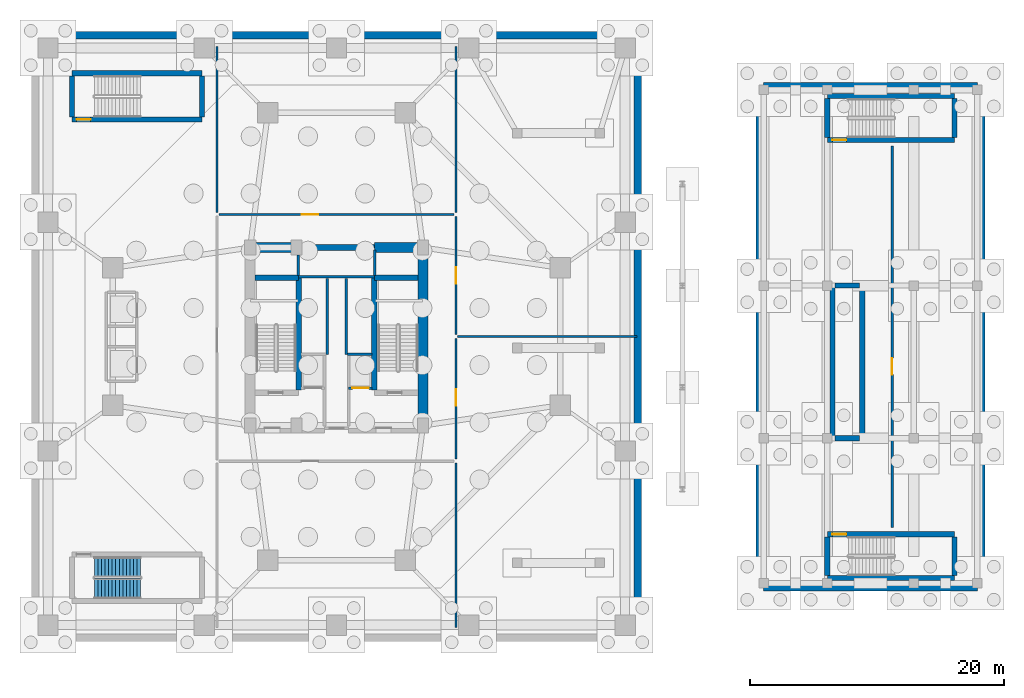
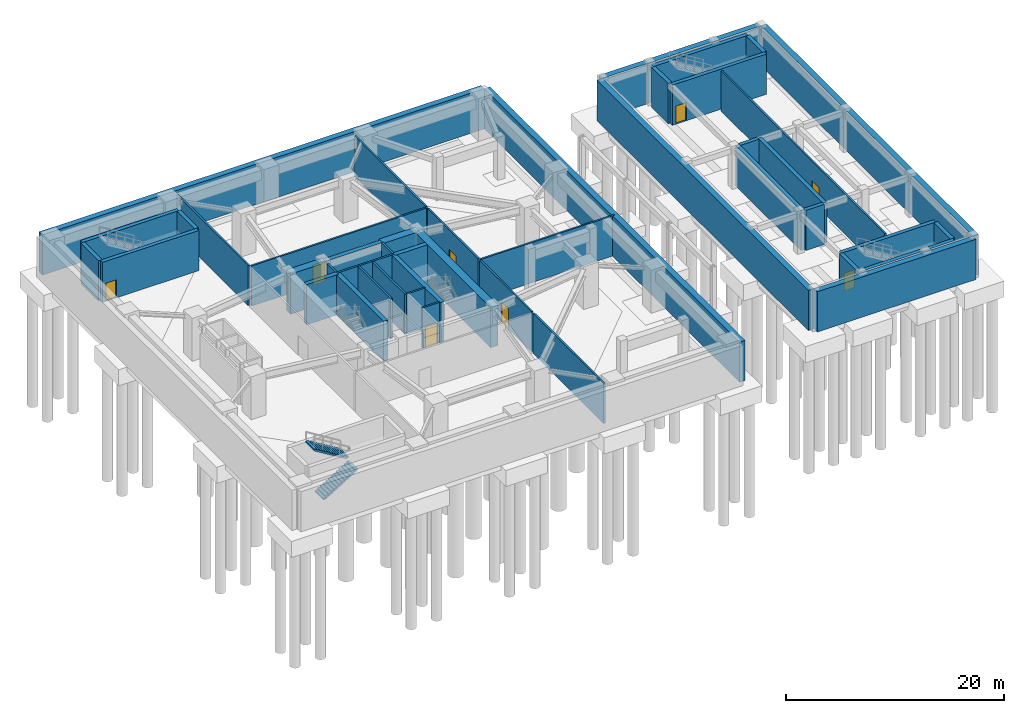
# One storey, part 7 of 11: 45 walls, 8 doors, 2 stair flights, 8 openings, 1 element without a shape of its own.
"""IFC4 building model written with IfcOpenShell, lengths in metres."""

from ifc_helpers import new_model, si_unit, direction, frame, frame_2d, origin, place, context, subcontext, project, spatial, polyline, rectangle, outline, extrude, source, transform, mapped, material, layer, layer_set, type_object, element, fill, aggregate, save


model = new_model("IFC4")

# Units and contexts
model_context = context("Model", 3, precision=1e-05, world=origin(), true_north=direction((0.0, 1.0)))
body_context = subcontext(model_context, "Body", "Model", "MODEL_VIEW")
ifc_project = project(units=[si_unit("LENGTHUNIT", "METRE"), si_unit("AREAUNIT", "SQUARE_METRE"), si_unit("VOLUMEUNIT", "CUBIC_METRE"), si_unit("PLANEANGLEUNIT", "RADIAN"), si_unit("MASSUNIT", "GRAM", prefix="KILO")], contexts=[model_context])

# Site, building, storey
site_placement = place(None, origin())
site = spatial("IfcSite", under=ifc_project, at=site_placement, CompositionType="ELEMENT")
building_placement = place(site_placement, origin())
building = spatial("IfcBuilding", under=site, at=building_placement, Name="Veraguas Prism Commons", CompositionType="ELEMENT")
storey_placement = place(building_placement, frame((0.0, 0.0, -10.0)))
storey = spatial("IfcBuildingStorey", under=building, at=storey_placement, Name="B2", CompositionType="ELEMENT", Elevation=-10.0)

# Walls
ifc_material_1 = material(Name="Concrete C50/60", Category="concrete")
ifc_layer_1 = layer(ifc_material_1, 0.60009765625, Name="Basement Perimeter Retaining Wall RC 600", Category="concrete")
ifc_layer_set_1 = layer_set([ifc_layer_1], Name="Concrete C50/60")
wall_type_1 = type_object("IfcWallType", Name="Basement Perimeter Retaining Wall RC 600", PredefinedType="SOLIDWALL", material=ifc_layer_set_1)
for number, where, z_axis, x_axis, name in (
    (1, (47.699951171875, 0.60009765625, 0.0), (0.0, 0.0, 1.0), (0.0, 1.0, 0.0), "Basement Retaining Wall B2-E"),
    (2, (47.39990234375, 47.699951171875, 0.0), (0.0, 0.0, 1.0), (-1.0, 0.0, 0.0), "Basement Retaining Wall B2-N"),
):
    element("IfcWall", number, at=place(storey_placement, frame(where, z_axis=z_axis, x_axis=x_axis)), inside=storey, type_object=wall_type_1, Name=name, PredefinedType="SOLIDWALL", context=body_context, shape_type="SweptSolid", body=[
        extrude(rectangle(XDim=46.7998046875, YDim=0.60009765625, at=frame_2d((23.39990234375, 0.0))), origin(), (0.0, 0.0, 1.0), 4.5),
    ])
wall_1_placement = place(storey_placement, frame((57.60009765625, 4.300048828125, 0.0), z_axis=(0.0, 0.0, 1.0), x_axis=(1.0, 0.0, 0.0)))
element("IfcWall", 3, at=wall_1_placement, inside=storey, type_object=wall_type_1, Name="Health Centre Substructure Retaining Wall B2-S", PredefinedType="SOLIDWALL", context=body_context, shape_type="SweptSolid", body=[
    extrude(rectangle(XDim=16.7998046875, YDim=0.60009765625, at=frame_2d((8.39990234375, 0.0))), origin(), (0.0, 0.0, 1.0), 4.5),
])
wall_2_placement = place(storey_placement, frame((74.699951171875, 4.60009765625, 0.0), z_axis=(0.0, 0.0, 1.0), x_axis=(0.0, 1.0, 0.0)))
element("IfcWall", 4, at=wall_2_placement, inside=storey, type_object=wall_type_1, Name="Health Centre Substructure Retaining Wall B2-E", PredefinedType="SOLIDWALL", context=body_context, shape_type="SweptSolid", body=[
    extrude(rectangle(XDim=38.7998046875, YDim=0.60009765625, at=frame_2d((19.39990234375, 0.0))), origin(), (0.0, 0.0, 1.0), 4.5),
])
wall_3_placement = place(storey_placement, frame((74.39990234375, 43.699951171875, 0.0), z_axis=(0.0, 0.0, 1.0), x_axis=(-1.0, 0.0, 0.0)))
element("IfcWall", 5, at=wall_3_placement, inside=storey, type_object=wall_type_1, Name="Health Centre Substructure Retaining Wall B2-N", PredefinedType="SOLIDWALL", context=body_context, shape_type="SweptSolid", body=[
    extrude(rectangle(XDim=16.7998046875, YDim=0.60009765625, at=frame_2d((8.39990234375, 0.0))), origin(), (0.0, 0.0, 1.0), 4.5),
])
wall_4_placement = place(storey_placement, frame((57.300048828125, 43.39990234375, 0.0), z_axis=(0.0, 0.0, 1.0), x_axis=(0.0, -1.0, 0.0)))
element("IfcWall", 6, at=wall_4_placement, inside=storey, type_object=wall_type_1, Name="Health Centre Substructure Retaining Wall B2-W", PredefinedType="SOLIDWALL", context=body_context, shape_type="SweptSolid", body=[
    extrude(rectangle(XDim=38.7998046875, YDim=0.60009765625, at=frame_2d((19.39990234375, 0.0))), origin(), (0.0, 0.0, 1.0), 4.5),
])

# Wall, opening, door
ifc_layer_2 = layer(ifc_material_1, 0.39990234375, Name="Clinic and Mid Core Shear Wall RC 400", Category="concrete")
ifc_layer_set_2 = layer_set([ifc_layer_2], Name="Concrete C50/60")
wall_type_2 = type_object("IfcWallType", Name="Clinic and Mid Core Shear Wall RC 400", PredefinedType="SHEAR", material=ifc_layer_set_2)
wall_5_placement = place(storey_placement, frame((3.199951171875, 41.06005859375, 0.0), z_axis=(0.0, 0.0, 1.0), x_axis=(1.0, 0.0, 0.0)))
wall_5 = element("IfcWall", 7, at=wall_5_placement, inside=storey, type_object=wall_type_2, Name="ST-M2 South Shear Wall B2", PredefinedType="SHEAR", context=body_context, shape_type="SweptSolid", body=[
    extrude(rectangle(XDim=10.199951171875, YDim=0.39990234375, at=frame_2d((5.10009765625, 0.0))), origin(), (0.0, 0.0, 1.0), 4.5),
])
opening_1_placement = place(wall_5_placement, frame((0.35009765625, 0.0, 0.0)))
opening_1 = element("IfcOpeningElement", 8, at=opening_1_placement, cuts=wall_5, Name="Opening DR-05", PredefinedType="OPENING", context=body_context, shape_type="SweptSolid", body=[
    extrude(rectangle(XDim=1.10009765625, YDim=2.030029296875, at=frame_2d((0.550048828125, 1.01513671875))), frame((0.0, 0.2099609375, 0.0), z_axis=(0.0, -1.0, 0.0), x_axis=(1.0, 0.0, 0.0)), (0.0, 0.0, 1.0), 0.419921875),
])
ifc_material_2 = material(Name="Steel fire-rated door assembly", Category="steel")
door_type_1 = type_object("IfcDoorType", Name="Protected Stair and Refuge Fire Door 1100x2030", OperationType="NOTDEFINED", PredefinedType="DOOR", material=ifc_material_2)
shared_shape_1 = source(origin(), body_context, "Body", "SweptSolid", [
    extrude(rectangle(XDim=1.10009765625, YDim=2.030029296875, at=frame_2d((0.550048828125, 1.01513671875))), frame((0.0, 0.02490234375, 0.0), z_axis=(0.0, -1.0, 0.0), x_axis=(1.0, 0.0, 0.0)), (0.0, 0.0, 1.0), 0.050048828125),
])
door_1_placement = place(opening_1_placement, origin())
door_1 = element("IfcDoor", 9, at=door_1_placement, inside=storey, type_object=door_type_1, Name="Metro Stair ST-M2 Door B2", OperationType="SINGLE_SWING_LEFT", OverallHeight=2.030029296875, OverallWidth=1.10009765625, PredefinedType="DOOR", context=body_context, shape_type="MappedRepresentation", body=[
    mapped(shared_shape_1, transform((0.0, 0.0, 0.0), scale=1.0)),
])
fill(opening_1, door_1)

# Walls
wall_6_placement = place(storey_placement, frame((3.199951171875, 44.7099609375, 0.0), z_axis=(0.0, 0.0, 1.0), x_axis=(1.0, 0.0, 0.0)))
element("IfcWall", 10, at=wall_6_placement, inside=storey, type_object=wall_type_2, Name="ST-M2 North Shear Wall B2", PredefinedType="SHEAR", context=body_context, shape_type="SweptSolid", body=[
    extrude(rectangle(XDim=10.199951171875, YDim=0.39990234375, at=frame_2d((5.10009765625, 0.0))), origin(), (0.0, 0.0, 1.0), 4.5),
])
for number, where, z_axis, x_axis, name in (
    (11, (3.199951171875, 41.260009765625, 0.0), (0.0, 0.0, 1.0), (0.0, 1.0, 0.0), "ST-M2 West Shear Wall B2"),
    (12, (13.39990234375, 41.260009765625, 0.0), (0.0, 0.0, 1.0), (0.0, 1.0, 0.0), "ST-M2 East Shear Wall B2"),
):
    element("IfcWall", number, at=place(storey_placement, frame(where, z_axis=z_axis, x_axis=x_axis)), inside=storey, type_object=wall_type_2, Name=name, PredefinedType="SHEAR", context=body_context, shape_type="SweptSolid", body=[
        extrude(rectangle(XDim=3.25, YDim=0.39990234375, at=frame_2d((1.625, 0.0))), origin(), (0.0, 0.0, 1.0), 4.5),
    ])
for number, where, z_axis, x_axis, name in (
    (13, (63.0, 16.0, 0.0), (0.0, 0.0, 1.0), (0.0, 1.0, 0.0), "Health Centre Core West Shear Wall B2"),
    (14, (65.35009765625, 16.0, 0.0), (0.0, 0.0, 1.0), (0.0, 1.0, 0.0), "Health Centre Lift Core Front Shear Wall B2"),
):
    element("IfcWall", number, at=place(storey_placement, frame(where, z_axis=z_axis, x_axis=x_axis)), inside=storey, type_object=wall_type_2, Name=name, PredefinedType="SHEAR", context=body_context, shape_type="SweptSolid", body=[
        extrude(rectangle(XDim=12.0, YDim=0.39990234375, at=frame_2d((6.0, 0.0))), origin(), (0.0, 0.0, 1.0), 4.5),
    ])
for number, where, z_axis, x_axis, name in (
    (15, (63.199951171875, 16.0, 0.0), (0.0, 0.0, 1.0), (1.0, 0.0, 0.0), "Health Centre Core South Wall B2"),
    (16, (63.199951171875, 28.0, 0.0), (0.0, 0.0, 1.0), (1.0, 0.0, 0.0), "Health Centre Core North Wall B2"),
):
    element("IfcWall", number, at=place(storey_placement, frame(where, z_axis=z_axis, x_axis=x_axis)), inside=storey, type_object=wall_type_2, Name=name, PredefinedType="SHEAR", context=body_context, shape_type="SweptSolid", body=[
        extrude(rectangle(XDim=1.949951171875, YDim=0.39990234375, at=frame_2d((0.97509765625, 0.0))), origin(), (0.0, 0.0, 1.0), 4.5),
    ])
wall_7_placement = place(storey_placement, frame((62.60009765625, 5.0, 0.0), z_axis=(0.0, 0.0, 1.0), x_axis=(1.0, 0.0, 0.0)))
element("IfcWall", 17, at=wall_7_placement, inside=storey, type_object=wall_type_2, Name="ST-H1 South Shear Wall B2", PredefinedType="SHEAR", context=body_context, shape_type="SweptSolid", body=[
    extrude(rectangle(XDim=10.0, YDim=0.39990234375, at=frame_2d((5.0, 0.0))), origin(), (0.0, 0.0, 1.0), 4.5),
])

# Wall, opening, door
wall_8_placement = place(storey_placement, frame((62.60009765625, 8.449951171875, 0.0), z_axis=(0.0, 0.0, 1.0), x_axis=(1.0, 0.0, 0.0)))
wall_8 = element("IfcWall", 18, at=wall_8_placement, inside=storey, type_object=wall_type_2, Name="ST-H1 North Shear Wall B2", PredefinedType="SHEAR", context=body_context, shape_type="SweptSolid", body=[
    extrude(rectangle(XDim=10.0, YDim=0.39990234375, at=frame_2d((5.0, 0.0))), origin(), (0.0, 0.0, 1.0), 4.5),
])
opening_2_placement = place(wall_8_placement, frame((0.39990234375, 0.0, 0.0)))
opening_2 = element("IfcOpeningElement", 19, at=opening_2_placement, cuts=wall_8, Name="Opening DR-05", PredefinedType="OPENING", context=body_context, shape_type="SweptSolid", body=[
    extrude(rectangle(XDim=1.10009765625, YDim=2.030029296875, at=frame_2d((0.550048828125, 1.01513671875))), frame((0.0, 0.2099609375, 0.0), z_axis=(0.0, -1.0, 0.0), x_axis=(1.0, 0.0, 0.0)), (0.0, 0.0, 1.0), 0.419921875),
])
door_2_placement = place(opening_2_placement, origin())
door_2 = element("IfcDoor", 20, at=door_2_placement, inside=storey, type_object=door_type_1, Name="Health Centre Stair ST-H1 Door B2", OperationType="SINGLE_SWING_RIGHT", OverallHeight=2.030029296875, OverallWidth=1.10009765625, PredefinedType="DOOR", context=body_context, shape_type="MappedRepresentation", body=[
    mapped(shared_shape_1, transform((0.0, 0.0, 0.0), scale=1.0)),
])
fill(opening_2, door_2)

# Walls
for number, where, z_axis, x_axis, name in (
    (21, (62.60009765625, 5.199951171875, 0.0), (0.0, 0.0, 1.0), (0.0, 1.0, 0.0), "ST-H1 West Shear Wall B2"),
    (22, (72.60009765625, 5.199951171875, 0.0), (0.0, 0.0, 1.0), (0.0, 1.0, 0.0), "ST-H1 East Shear Wall B2"),
):
    element("IfcWall", number, at=place(storey_placement, frame(where, z_axis=z_axis, x_axis=x_axis)), inside=storey, type_object=wall_type_2, Name=name, PredefinedType="SHEAR", context=body_context, shape_type="SweptSolid", body=[
        extrude(rectangle(XDim=3.050048828125, YDim=0.39990234375, at=frame_2d((1.52490234375, 0.0))), origin(), (0.0, 0.0, 1.0), 4.5),
    ])

# Wall, opening, door
wall_9_placement = place(storey_placement, frame((62.60009765625, 39.4599609375, 0.0), z_axis=(0.0, 0.0, 1.0), x_axis=(1.0, 0.0, 0.0)))
wall_9 = element("IfcWall", 23, at=wall_9_placement, inside=storey, type_object=wall_type_2, Name="ST-H2 South Shear Wall B2", PredefinedType="SHEAR", context=body_context, shape_type="SweptSolid", body=[
    extrude(rectangle(XDim=10.0, YDim=0.39990234375, at=frame_2d((5.0, 0.0))), origin(), (0.0, 0.0, 1.0), 4.5),
])
opening_3_placement = place(wall_9_placement, frame((0.39990234375, 0.0, 0.0)))
opening_3 = element("IfcOpeningElement", 24, at=opening_3_placement, cuts=wall_9, Name="Opening DR-05", PredefinedType="OPENING", context=body_context, shape_type="SweptSolid", body=[
    extrude(rectangle(XDim=1.10009765625, YDim=2.030029296875, at=frame_2d((0.550048828125, 1.01513671875))), frame((0.0, 0.2099609375, 0.0), z_axis=(0.0, -1.0, 0.0), x_axis=(1.0, 0.0, 0.0)), (0.0, 0.0, 1.0), 0.419921875),
])
door_3_placement = place(opening_3_placement, origin())
door_3 = element("IfcDoor", 25, at=door_3_placement, inside=storey, type_object=door_type_1, Name="Health Centre Stair ST-H2 Door B2", OperationType="SINGLE_SWING_LEFT", OverallHeight=2.030029296875, OverallWidth=1.10009765625, PredefinedType="DOOR", context=body_context, shape_type="MappedRepresentation", body=[
    mapped(shared_shape_1, transform((0.0, 0.0, 0.0), scale=1.0)),
])
fill(opening_3, door_3)

# Walls
wall_10_placement = place(storey_placement, frame((62.60009765625, 42.909912109375, 0.0), z_axis=(0.0, 0.0, 1.0), x_axis=(1.0, 0.0, 0.0)))
element("IfcWall", 26, at=wall_10_placement, inside=storey, type_object=wall_type_2, Name="ST-H2 North Shear Wall B2", PredefinedType="SHEAR", context=body_context, shape_type="SweptSolid", body=[
    extrude(rectangle(XDim=10.0, YDim=0.39990234375, at=frame_2d((5.0, 0.0))), origin(), (0.0, 0.0, 1.0), 4.5),
])
for number, where, z_axis, x_axis, name in (
    (27, (62.60009765625, 39.659912109375, 0.0), (0.0, 0.0, 1.0), (0.0, 1.0, 0.0), "ST-H2 West Shear Wall B2"),
    (28, (72.60009765625, 39.659912109375, 0.0), (0.0, 0.0, 1.0), (0.0, 1.0, 0.0), "ST-H2 East Shear Wall B2"),
):
    element("IfcWall", number, at=place(storey_placement, frame(where, z_axis=z_axis, x_axis=x_axis)), inside=storey, type_object=wall_type_2, Name=name, PredefinedType="SHEAR", context=body_context, shape_type="SweptSolid", body=[
        extrude(rectangle(XDim=3.050048828125, YDim=0.39990234375, at=frame_2d((1.52490234375, 0.0))), origin(), (0.0, 0.0, 1.0), 4.5),
    ])
ifc_material_3 = material(Name="Concrete C60/75", Category="concrete")
ifc_layer_3 = layer(ifc_material_3, 0.449951171875, Name="Core Internal Shear Wall Lower RC 450", Category="concrete")
ifc_layer_set_3 = layer_set([ifc_layer_3], Name="Concrete C60/75")
wall_type_3 = type_object("IfcWallType", Name="Core Internal Shear Wall Lower RC 450", PredefinedType="SHEAR", material=ifc_layer_set_3)
wall_11_placement = place(storey_placement, frame((21.0, 31.0, 0.0), z_axis=(0.0, 0.0, 1.0), x_axis=(1.0, 0.0, 0.0)))
element("IfcWall", 29, at=wall_11_placement, inside=storey, type_object=wall_type_3, Name="High-Rise Lift Bank Front Shear Wall B2", PredefinedType="SHEAR", context=body_context, shape_type="SweptSolid", body=[
    extrude(rectangle(XDim=6.0, YDim=0.449951171875, at=frame_2d((3.0, 0.0))), origin(), (0.0, 0.0, 1.0), 4.5),
])
for number, where, z_axis, x_axis, name in (
    (30, (21.02490234375, 19.800048828125, 0.0), (0.0, 0.0, 1.0), (0.0, 1.0, 0.0), "Stair ST-01 Inner Shear Wall B2"),
    (31, (26.97509765625, 19.800048828125, 0.0), (0.0, 0.0, 1.0), (0.0, 1.0, 0.0), "Stair ST-02 Inner Shear Wall B2"),
):
    element("IfcWall", number, at=place(storey_placement, frame(where, z_axis=z_axis, x_axis=x_axis)), inside=storey, type_object=wall_type_3, Name=name, PredefinedType="SHEAR", context=body_context, shape_type="SweptSolid", body=[
        extrude(rectangle(XDim=8.824951171875, YDim=0.449951171875, at=frame_2d((4.41259765625, 0.0))), origin(), (0.0, 0.0, 1.0), 4.5),
    ])
for number, where, z_axis, x_axis, name in (
    (32, (17.60009765625, 28.625, 0.0), (0.0, 0.0, 1.0), (1.0, 0.0, 0.0), "Stair ST-01 North Shear Wall B2"),
    (33, (26.97509765625, 28.625, 0.0), (0.0, 0.0, 1.0), (1.0, 0.0, 0.0), "Stair ST-02 North Shear Wall B2"),
):
    element("IfcWall", number, at=place(storey_placement, frame(where, z_axis=z_axis, x_axis=x_axis)), inside=storey, type_object=wall_type_3, Name=name, PredefinedType="SHEAR", context=body_context, shape_type="SweptSolid", body=[
        extrude(rectangle(XDim=3.4248046875, YDim=0.449951171875, at=frame_2d((1.71240234375, 0.0))), origin(), (0.0, 0.0, 1.0), 4.5),
    ])
ifc_layer_4 = layer(ifc_material_3, 0.800048828125, Name="Core Outer Shear Wall Lower RC 800", Category="concrete")
ifc_layer_set_4 = layer_set([ifc_layer_4], Name="Concrete C60/75")
wall_type_4 = type_object("IfcWallType", Name="Core Outer Shear Wall Lower RC 800", PredefinedType="SHEAR", material=ifc_layer_set_4)
wall_12_placement = place(storey_placement, frame((30.800048828125, 16.800048828125, 0.0), z_axis=(0.0, 0.0, 1.0), x_axis=(0.0, 1.0, 0.0)))
element("IfcWall", 34, at=wall_12_placement, inside=storey, type_object=wall_type_4, Name="Central Core East Shear Wall B2", PredefinedType="SHEAR", context=body_context, shape_type="SweptSolid", body=[
    extrude(rectangle(XDim=14.199951171875, YDim=0.800048828125, at=frame_2d((7.10009765625, 0.0))), origin(), (0.0, 0.0, 1.0), 4.5),
])
for number, where, z_axis, x_axis, name in (
    (35, (17.199951171875, 31.0, 0.0), (0.0, 0.0, 1.0), (1.0, 0.0, 0.0), "Central Core North-West Shear Wall B2"),
    (36, (27.0, 31.0, 0.0), (0.0, 0.0, 1.0), (1.0, 0.0, 0.0), "Central Core North-East Shear Wall B2"),
):
    element("IfcWall", number, at=place(storey_placement, frame(where, z_axis=z_axis, x_axis=x_axis)), inside=storey, type_object=wall_type_4, Name=name, PredefinedType="SHEAR", context=body_context, shape_type="SweptSolid", body=[
        extrude(rectangle(XDim=3.800048828125, YDim=0.800048828125, at=frame_2d((1.89990234375, 0.0))), origin(), (0.0, 0.0, 1.0), 4.5),
    ])
ifc_material_4 = material(Name="Autoclaved aerated masonry block 10 MPa", Category="masonry")
ifc_layer_5 = layer(ifc_material_4, 0.179931640625, Name="Corridor and Inter-Tenancy Partition 180", Category="masonry")
ifc_layer_set_5 = layer_set([ifc_layer_5], Name="Autoclaved aerated masonry block 10 MPa")
wall_type_5 = type_object("IfcWallType", Name="Corridor and Inter-Tenancy Partition 180", PredefinedType="PARTITIONING", material=ifc_layer_set_5)
wall_13_placement = place(storey_placement, frame((33.39990234375, 1.10009765625, 0.0), z_axis=(0.0, 0.0, 1.0), x_axis=(0.0, 1.0, 0.0)))
element("IfcWall", 37, at=wall_13_placement, inside=storey, type_object=wall_type_5, Name="WL-B2-PT01B", PredefinedType="PARTITIONING", context=body_context, shape_type="SweptSolid", body=[
    extrude(rectangle(XDim=12.949951171875, YDim=0.179931640625, at=frame_2d((6.47509765625, 0.0))), origin(), (0.0, 0.0, 1.0), 4.5),
])

# Wall, opening, door
wall_14_placement = place(storey_placement, frame((33.39990234375, 14.35009765625, 0.0), z_axis=(0.0, 0.0, 1.0), x_axis=(0.0, 1.0, 0.0)))
wall_14 = element("IfcWall", 38, at=wall_14_placement, inside=storey, type_object=wall_type_5, Name="WL-B2-PT02", PredefinedType="PARTITIONING", context=body_context, shape_type="SweptSolid", body=[
    extrude(rectangle(XDim=9.5, YDim=0.179931640625, at=frame_2d((4.75, 0.0))), origin(), (0.0, 0.0, 1.0), 4.5),
])
opening_4_placement = place(wall_14_placement, frame((4.199951171875, 0.0, 0.0)))
opening_4 = element("IfcOpeningElement", 39, at=opening_4_placement, cuts=wall_14, Name="Opening DR-11", PredefinedType="OPENING", context=body_context, shape_type="SweptSolid", body=[
    extrude(rectangle(XDim=1.300048828125, YDim=2.300048828125, at=frame_2d((0.64990234375, 1.14990234375))), frame((0.0, 0.099853515625, 0.0), z_axis=(0.0, -1.0, 0.0), x_axis=(1.0, 0.0, 0.0)), (0.0, 0.0, 1.0), 0.199951171875),
])
door_type_2 = type_object("IfcDoorType", Name="Mechanical Plant Room Door 1300x2300", OperationType="NOTDEFINED", PredefinedType="DOOR", material=ifc_material_2)
shared_shape_2 = source(origin(), body_context, "Body", "SweptSolid", [
    extrude(rectangle(XDim=1.300048828125, YDim=2.300048828125, at=frame_2d((0.64990234375, 1.14990234375))), frame((0.0, 0.02490234375, 0.0), z_axis=(0.0, -1.0, 0.0), x_axis=(1.0, 0.0, 0.0)), (0.0, 0.0, 1.0), 0.050048828125),
])
door_4_placement = place(opening_4_placement, origin())
door_4 = element("IfcDoor", 40, at=door_4_placement, inside=storey, type_object=door_type_2, Name="Tunnel Ventilation Plant Door B2", OperationType="SINGLE_SWING_RIGHT", OverallHeight=2.300048828125, OverallWidth=1.300048828125, PredefinedType="DOOR", context=body_context, shape_type="MappedRepresentation", body=[
    mapped(shared_shape_2, transform((0.0, 0.0, 0.0), scale=1.0)),
])
fill(opening_4, door_4)

wall_15_placement = place(storey_placement, frame((33.39990234375, 24.14990234375, 0.0), z_axis=(0.0, 0.0, 1.0), x_axis=(0.0, 1.0, 0.0)))
wall_15 = element("IfcWall", 41, at=wall_15_placement, inside=storey, type_object=wall_type_5, Name="WL-B2-PT03", PredefinedType="PARTITIONING", context=body_context, shape_type="SweptSolid", body=[
    extrude(rectangle(XDim=9.300048828125, YDim=0.179931640625, at=frame_2d((4.64990234375, 0.0))), origin(), (0.0, 0.0, 1.0), 4.5),
])
opening_5_placement = place(wall_15_placement, frame((4.0, 0.0, 0.0)))
opening_5 = element("IfcOpeningElement", 42, at=opening_5_placement, cuts=wall_15, Name="Opening DR-11", PredefinedType="OPENING", context=body_context, shape_type="SweptSolid", body=[
    extrude(rectangle(XDim=1.300048828125, YDim=2.300048828125, at=frame_2d((0.64990234375, 1.14990234375))), frame((0.0, 0.099853515625, 0.0), z_axis=(0.0, -1.0, 0.0), x_axis=(1.0, 0.0, 0.0)), (0.0, 0.0, 1.0), 0.199951171875),
])
door_5_placement = place(opening_5_placement, origin())
door_5 = element("IfcDoor", 43, at=door_5_placement, inside=storey, type_object=door_type_2, Name="Sump Pump Plant Door B2", OperationType="SINGLE_SWING_LEFT", OverallHeight=2.300048828125, OverallWidth=1.300048828125, PredefinedType="DOOR", context=body_context, shape_type="MappedRepresentation", body=[
    mapped(shared_shape_2, transform((0.0, 0.0, 0.0), scale=1.0)),
])
fill(opening_5, door_5)

# Wall
wall_16_placement = place(storey_placement, frame((33.5, 24.0, 0.0), z_axis=(0.0, 0.0, 1.0), x_axis=(1.0, 0.0, 0.0)))
element("IfcWall", 44, at=wall_16_placement, inside=storey, type_object=wall_type_5, Name="WL-B2-PT04", PredefinedType="PARTITIONING", context=body_context, shape_type="SweptSolid", body=[
    extrude(rectangle(XDim=14.14990234375, YDim=0.179931640625, at=frame_2d((7.074951171875, 0.0))), origin(), (0.0, 0.0, 1.0), 4.5),
])

# Wall, opening, door
wall_17_placement = place(storey_placement, frame((14.75, 33.60009765625, 0.0), z_axis=(0.0, 0.0, 1.0), x_axis=(1.0, 0.0, 0.0)))
wall_17 = element("IfcWall", 45, at=wall_17_placement, inside=storey, type_object=wall_type_5, Name="WL-B2-PT05", PredefinedType="PARTITIONING", context=body_context, shape_type="SweptSolid", body=[
    extrude(rectangle(XDim=18.5, YDim=0.179931640625, at=frame_2d((9.25, 0.0))), origin(), (0.0, 0.0, 1.0), 4.5),
])
opening_6_placement = place(wall_17_placement, frame((6.5, 0.0, 0.0)))
opening_6 = element("IfcOpeningElement", 46, at=opening_6_placement, cuts=wall_17, Name="Opening DR-11", PredefinedType="OPENING", context=body_context, shape_type="SweptSolid", body=[
    extrude(rectangle(XDim=1.300048828125, YDim=2.300048828125, at=frame_2d((0.64990234375, 1.14990234375))), frame((0.0, 0.099853515625, 0.0), z_axis=(0.0, -1.0, 0.0), x_axis=(1.0, 0.0, 0.0)), (0.0, 0.0, 1.0), 0.199951171875),
])
door_6_placement = place(opening_6_placement, origin())
door_6 = element("IfcDoor", 47, at=door_6_placement, inside=storey, type_object=door_type_2, Name="Generator Plant Door B2", OperationType="SINGLE_SWING_RIGHT", OverallHeight=2.300048828125, OverallWidth=1.300048828125, PredefinedType="DOOR", context=body_context, shape_type="MappedRepresentation", body=[
    mapped(shared_shape_2, transform((0.0, 0.0, 0.0), scale=1.0)),
])
fill(opening_6, door_6)

# Walls
for number, where, z_axis, x_axis, name in (
    (48, (14.60009765625, 33.75, 0.0), (0.0, 0.0, 1.0), (0.0, 1.0, 0.0), "WL-B2-PT06"),
    (49, (33.39990234375, 33.75, 0.0), (0.0, 0.0, 1.0), (0.0, 1.0, 0.0), "WL-B2-PT07"),
):
    element("IfcWall", number, at=place(storey_placement, frame(where, z_axis=z_axis, x_axis=x_axis)), inside=storey, type_object=wall_type_5, Name=name, PredefinedType="PARTITIONING", context=body_context, shape_type="SweptSolid", body=[
        extrude(rectangle(XDim=13.050048828125, YDim=0.179931640625, at=frame_2d((6.52490234375, 0.0))), origin(), (0.0, 0.0, 1.0), 4.5),
    ])

# Wall, opening, door
wall_18_placement = place(storey_placement, frame((67.699951171875, 9.0, 0.0), z_axis=(0.0, 0.0, 1.0), x_axis=(0.0, 1.0, 0.0)))
wall_18 = element("IfcWall", 50, at=wall_18_placement, inside=storey, type_object=wall_type_5, Name="WL-B2-HCPT1", PredefinedType="PARTITIONING", context=body_context, shape_type="SweptSolid", body=[
    extrude(rectangle(XDim=30.0, YDim=0.179931640625, at=frame_2d((15.0, 0.0))), origin(), (0.0, 0.0, 1.0), 4.5),
])
opening_7_placement = place(wall_18_placement, frame((12.0, 0.0, 0.0)))
opening_7 = element("IfcOpeningElement", 51, at=opening_7_placement, cuts=wall_18, Name="Opening DR-11", PredefinedType="OPENING", context=body_context, shape_type="SweptSolid", body=[
    extrude(rectangle(XDim=1.300048828125, YDim=2.300048828125, at=frame_2d((0.64990234375, 1.14990234375))), frame((0.0, 0.099853515625, 0.0), z_axis=(0.0, -1.0, 0.0), x_axis=(1.0, 0.0, 0.0)), (0.0, 0.0, 1.0), 0.199951171875),
])
door_7_placement = place(opening_7_placement, origin())
door_7 = element("IfcDoor", 52, at=door_7_placement, inside=storey, type_object=door_type_2, Name="Clinic Substructure Plant Door B2", OperationType="SINGLE_SWING_LEFT", OverallHeight=2.300048828125, OverallWidth=1.300048828125, PredefinedType="DOOR", context=body_context, shape_type="MappedRepresentation", body=[
    mapped(shared_shape_2, transform((0.0, 0.0, 0.0), scale=1.0)),
])
fill(opening_7, door_7)

ifc_layer_6 = layer(ifc_material_4, 0.199951171875, Name="Rated Shaft and Lobby Block Wall 200", Category="masonry")
ifc_layer_set_6 = layer_set([ifc_layer_6], Name="Autoclaved aerated masonry block 10 MPa")
wall_type_6 = type_object("IfcWallType", Name="Rated Shaft and Lobby Block Wall 200", PredefinedType="SOLIDWALL", material=ifc_layer_set_6)
wall_19_placement = place(storey_placement, frame((24.949951171875, 19.949951171875, 0.0), z_axis=(0.0, 0.0, 1.0), x_axis=(1.0, 0.0, 0.0)))
wall_19 = element("IfcWall", 53, at=wall_19_placement, inside=storey, type_object=wall_type_6, Name="Firefighting Lift FFL-2 Front Wall B2", PredefinedType="SOLIDWALL", context=body_context, shape_type="SweptSolid", body=[
    extrude(rectangle(XDim=1.85009765625, YDim=0.199951171875, at=frame_2d((0.925048828125, 0.0))), origin(), (0.0, 0.0, 1.0), 4.5),
])
opening_8_placement = place(wall_19_placement, frame((0.300048828125, 0.0, 0.0)))
opening_8 = element("IfcOpeningElement", 54, at=opening_8_placement, cuts=wall_19, Name="Opening LD-02", PredefinedType="OPENING", context=body_context, shape_type="SweptSolid", body=[
    extrude(rectangle(XDim=1.300048828125, YDim=2.25, at=frame_2d((0.64990234375, 1.125))), frame((0.0, 0.10986328125, 0.0), z_axis=(0.0, -1.0, 0.0), x_axis=(1.0, 0.0, 0.0)), (0.0, 0.0, 1.0), 0.219970703125),
])
ifc_material_5 = material(Name="Stainless steel AISI 316", Category="steel")
door_type_3 = type_object("IfcDoorType", Name="Firefighting Lift Sliding Landing Door 1300x2250", OperationType="NOTDEFINED", PredefinedType="DOOR", material=ifc_material_5)
shared_shape_3 = source(origin(), body_context, "Body", "SweptSolid", [
    extrude(rectangle(XDim=1.300048828125, YDim=2.25, at=frame_2d((0.64990234375, 1.125))), frame((0.0, 0.02490234375, 0.0), z_axis=(0.0, -1.0, 0.0), x_axis=(1.0, 0.0, 0.0)), (0.0, 0.0, 1.0), 0.050048828125),
])
door_8_placement = place(opening_8_placement, origin())
door_8 = element("IfcDoor", 55, at=door_8_placement, inside=storey, type_object=door_type_3, Name="Firefighting Lift FFL-2 Front Wall B2", OperationType="SLIDING_TO_LEFT", OverallHeight=2.25, OverallWidth=1.300048828125, PredefinedType="DOOR", context=body_context, shape_type="MappedRepresentation", body=[
    mapped(shared_shape_3, transform((0.0, 0.0, 0.0), scale=1.0)),
])
fill(opening_8, door_8)

# Walls
wall_20_placement = place(storey_placement, frame((24.85009765625, 22.60009765625, 0.0), z_axis=(0.0, 0.0, 1.0), x_axis=(1.0, 0.0, 0.0)))
element("IfcWall", 56, at=wall_20_placement, inside=storey, type_object=wall_type_6, Name="Firefighting Lift FFL-2 Rear Wall B2", PredefinedType="SOLIDWALL", context=body_context, shape_type="SweptSolid", body=[
    extrude(rectangle(XDim=1.949951171875, YDim=0.199951171875, at=frame_2d((0.97509765625, 0.0))), origin(), (0.0, 0.0, 1.0), 4.5),
])
wall_21_placement = place(storey_placement, frame((21.0, 28.699951171875, 0.0), z_axis=(0.0, 0.0, 1.0), x_axis=(1.0, 0.0, 0.0)))
element("IfcWall", 57, at=wall_21_placement, inside=storey, type_object=wall_type_6, Name="High-Rise Lift Bank Rear Shaft Wall B2", PredefinedType="SOLIDWALL", context=body_context, shape_type="SweptSolid", body=[
    extrude(rectangle(XDim=6.0, YDim=0.199951171875, at=frame_2d((3.0, 0.0))), origin(), (0.0, 0.0, 1.0), 4.5),
])
wall_22_placement = place(storey_placement, frame((21.0, 28.800048828125, 0.0), z_axis=(0.0, 0.0, 1.0), x_axis=(0.0, 1.0, 0.0)))
element("IfcWall", 58, at=wall_22_placement, inside=storey, type_object=wall_type_6, Name="High-Rise Lift Bank West Shaft Wall B2", PredefinedType="SOLIDWALL", context=body_context, shape_type="SweptSolid", body=[
    extrude(rectangle(XDim=1.599853515625, YDim=0.199951171875, at=frame_2d((0.7998046875, 0.0))), origin(), (0.0, 0.0, 1.0), 4.5),
])
wall_23_placement = place(storey_placement, frame((27.0, 28.800048828125, 0.0), z_axis=(0.0, 0.0, 1.0), x_axis=(0.0, 1.0, 0.0)))
element("IfcWall", 59, at=wall_23_placement, inside=storey, type_object=wall_type_6, Name="High-Rise Lift Bank East Shaft Wall B2", PredefinedType="SOLIDWALL", context=body_context, shape_type="SweptSolid", body=[
    extrude(rectangle(XDim=2.0, YDim=0.199951171875, at=frame_2d((1.0, 0.0))), origin(), (0.0, 0.0, 1.0), 4.5),
])
for number, where, z_axis, x_axis, name in (
    (60, (23.25, 22.60009765625, 0.0), (0.0, 0.0, 1.0), (0.0, 1.0, 0.0), "Low-Rise Lift Bank Front Wall B2"),
    (61, (24.75, 22.60009765625, 0.0), (0.0, 0.0, 1.0), (0.0, 1.0, 0.0), "Mid-Rise Lift Bank Front Wall B2"),
):
    element("IfcWall", number, at=place(storey_placement, frame(where, z_axis=z_axis, x_axis=x_axis)), inside=storey, type_object=wall_type_6, Name=name, PredefinedType="SOLIDWALL", context=body_context, shape_type="SweptSolid", body=[
        extrude(rectangle(XDim=5.949951171875, YDim=0.199951171875, at=frame_2d((2.97509765625, 0.0))), origin(), (0.0, 0.0, 1.0), 4.5),
    ])

# Stair, stair flights
ifc_material_6 = material(Name="Precast concrete C45/55", Category="concrete")
stair_type = type_object("IfcStairType", Name="Dogleg Core Stair 1550W 28R 09", PredefinedType="HALF_TURN_STAIR", material=ifc_material_6)
stair_placement = place(storey_placement, origin())
stair = element("IfcStair", 62, at=stair_placement, inside=storey, type_object=stair_type, Name="Protected Exit Stair ST-M1 B2", PredefinedType="HALF_TURN_STAIR")
stair_flight_type = type_object("IfcStairFlightType", Name="Precast Stair Flight 1550W 14R 09", PredefinedType="STRAIGHT", material=ifc_material_6)
stair_flight_1_placement = place(storey_placement, frame((4.949951171875, 4.175048828125, 0.0), z_axis=(0.0, 0.0, 1.0), x_axis=(1.0, 0.0, 0.0)))
stair_flight_1 = element("IfcStairFlight", 63, at=stair_flight_1_placement, type_object=stair_flight_type, Name="ST-09 Flight 1", NumberOfRisers=14, NumberOfTreads=13, PredefinedType="STRAIGHT", RiserHeight=0.171428571, TreadLength=0.28, context=body_context, shape_type="SweptSolid", body=[
    extrude(outline(polyline([(0.0, 0.0), (0.0, 0.17138671875), (0.280029296875, 0.17138671875), (0.280029296875, 0.3427734375), (0.56005859375, 0.3427734375), (0.56005859375, 0.514404296875), (0.840087890625, 0.514404296875), (0.840087890625, 0.685791015625), (1.1201171875, 0.685791015625), (1.1201171875, 0.857177734375), (1.39990234375, 0.857177734375), (1.39990234375, 1.028564453125), (1.679931640625, 1.028564453125), (1.679931640625, 1.199951171875), (1.9599609375, 1.199951171875), (1.9599609375, 1.371337890625), (2.239990234375, 1.371337890625), (2.239990234375, 1.54296875), (2.52001953125, 1.54296875), (2.52001953125, 1.71435546875), (2.800048828125, 1.71435546875), (2.800048828125, 1.8857421875), (3.080078125, 1.8857421875), (3.080078125, 2.05712890625), (3.360107421875, 2.05712890625), (3.360107421875, 2.228515625), (3.639892578125, 2.228515625), (3.639892578125, 2.39990234375), (3.639892578125, 2.052734375), (0.287109375, 0.0), (0.0, 0.0)])), frame((0.0, 0.77490234375, 0.0), z_axis=(0.0, -1.0, 0.0), x_axis=(1.0, 0.0, 0.0)), (0.0, 0.0, 1.0), 1.550048828125),
])
stair_flight_2_placement = place(storey_placement, frame((8.590087890625, 5.875, 2.39990234375), z_axis=(0.0, 0.0, 1.0), x_axis=(-1.0, 0.0, 0.0)))
stair_flight_2 = element("IfcStairFlight", 64, at=stair_flight_2_placement, type_object=stair_flight_type, Name="ST-09 Flight 2", NumberOfRisers=14, NumberOfTreads=13, PredefinedType="STRAIGHT", RiserHeight=0.171428571, TreadLength=0.28, context=body_context, shape_type="SweptSolid", body=[
    extrude(outline(polyline([(0.0, 0.0), (0.0, 0.17138671875), (0.280029296875, 0.17138671875), (0.280029296875, 0.3427734375), (0.56005859375, 0.3427734375), (0.56005859375, 0.514404296875), (0.840087890625, 0.514404296875), (0.840087890625, 0.685791015625), (1.1201171875, 0.685791015625), (1.1201171875, 0.857177734375), (1.39990234375, 0.857177734375), (1.39990234375, 1.028564453125), (1.679931640625, 1.028564453125), (1.679931640625, 1.199951171875), (1.9599609375, 1.199951171875), (1.9599609375, 1.371337890625), (2.239990234375, 1.371337890625), (2.239990234375, 1.54296875), (2.52001953125, 1.54296875), (2.52001953125, 1.71435546875), (2.800048828125, 1.71435546875), (2.800048828125, 1.8857421875), (3.080078125, 1.8857421875), (3.080078125, 2.05712890625), (3.360107421875, 2.05712890625), (3.360107421875, 2.228515625), (3.639892578125, 2.228515625), (3.639892578125, 2.39990234375), (3.639892578125, 2.052734375), (0.287109375, 0.0), (0.0, 0.0)])), frame((0.0, 0.77490234375, 0.0), z_axis=(0.0, -1.0, 0.0), x_axis=(1.0, 0.0, 0.0)), (0.0, 0.0, 1.0), 1.550048828125),
])
aggregate(stair, [stair_flight_1, stair_flight_2])

save(model, "model.ifc")
